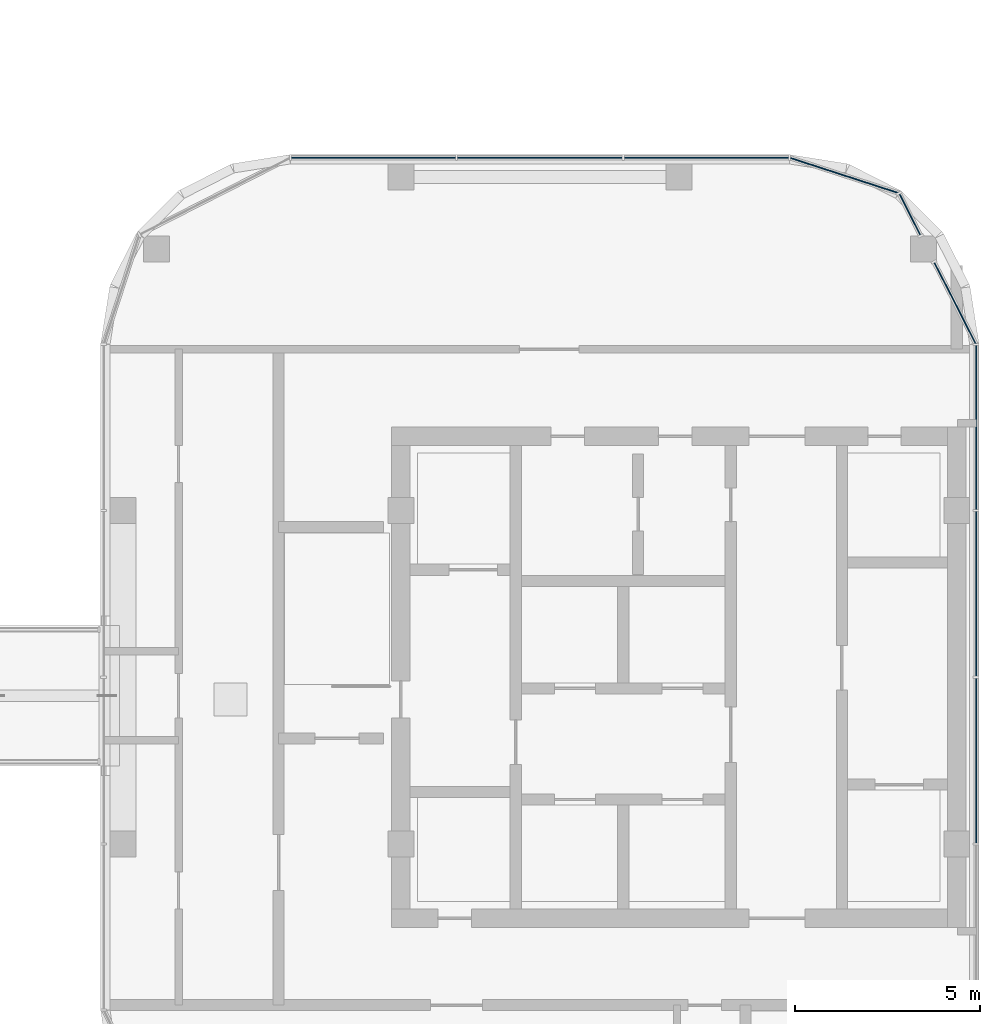
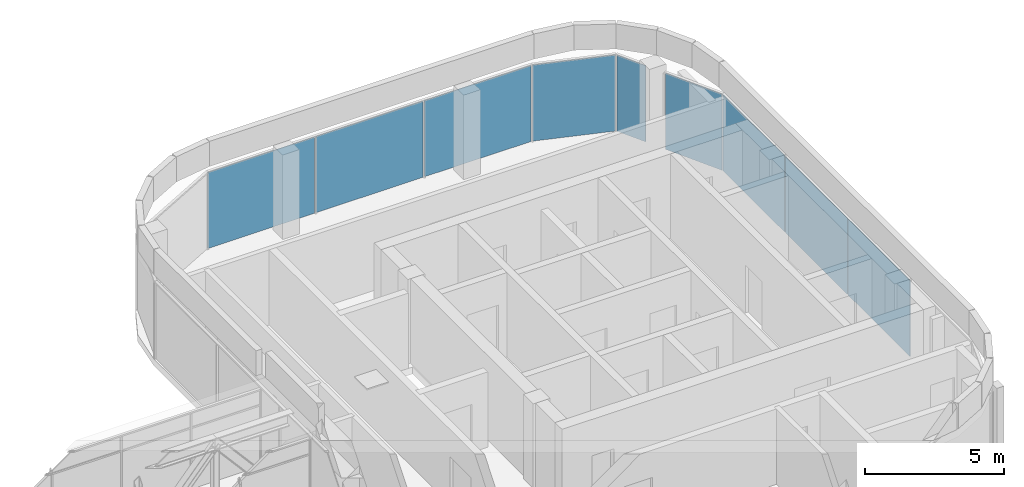
# One storey, part 17 of 33: 9 plates, 4 elements without a shape of their own.
"""IFC4 building model written with IfcOpenShell, lengths in metres."""

from ifc_helpers import new_model, si_unit, direction, frame, origin, origin_2d, place, context, subcontext, project, spatial, rectangle, extrude, material, layer, layer_set, type_object, element, aggregate, save


model = new_model("IFC4")

# Units and contexts
model_context = context("Model", 3, precision=1e-05, world=origin(), true_north=direction((0.0, 1.0)))
body_context = subcontext(model_context, "Body", "Model", "MODEL_VIEW")
ifc_project = project(units=[si_unit("LENGTHUNIT", "METRE"), si_unit("AREAUNIT", "SQUARE_METRE"), si_unit("VOLUMEUNIT", "CUBIC_METRE"), si_unit("PLANEANGLEUNIT", "RADIAN"), si_unit("MASSUNIT", "GRAM", prefix="KILO")], contexts=[model_context])

# Site, building, storey
site_placement = place(None, origin())
site = spatial("IfcSite", under=ifc_project, at=site_placement, CompositionType="ELEMENT")
building_placement = place(site_placement, origin())
building = spatial("IfcBuilding", under=site, at=building_placement, Name="Ogive Portal Towers", CompositionType="ELEMENT")
storey_placement = place(building_placement, frame((0.0, 0.0, 101.89990234375)))
storey = spatial("IfcBuildingStorey", under=building, at=storey_placement, Name="L24", CompositionType="ELEMENT", Elevation=101.89990234375)

# Curtain wall, plates
ifc_material = material(Name="Glass, clear low-iron insulated glazing", Category="glass")
curtain_wall_type = type_object("IfcCurtainWallType", Name="CW RESIDENCES RIBBON", PredefinedType="NOTDEFINED", material=ifc_material)
curtain_wall_1_placement = place(storey_placement, origin())
curtain_wall_1 = element("IfcCurtainWall", 1, at=curtain_wall_1_placement, inside=storey, type_object=curtain_wall_type, Name="B:L24:f05:cw0", PredefinedType="NOTDEFINED")
ifc_layer = layer(ifc_material, 0.028076171875)
ifc_layer_set = layer_set([ifc_layer], Name="CW PANEL IGU 28")
plate_type = type_object("IfcPlateType", Name="CW PANEL IGU 28", PredefinedType="CURTAIN_PANEL", material=ifc_layer_set)
plate_1_placement = place(storey_placement, frame((144.52001953125, 28.75, 0.0), z_axis=(0.0, 0.0, 1.0), x_axis=(0.0, 1.0, 0.0)))
plate_1 = element("IfcPlate", 2, at=plate_1_placement, type_object=plate_type, Name="panel", PredefinedType="CURTAIN_PANEL", context=body_context, shape_type="SweptSolid", body=[
    extrude(rectangle(XDim=4.43994140625, YDim=0.028076171875, at=origin_2d()), origin(), (0.0, 0.0, 1.0), 3.340087890625),
])
plate_2_placement = place(storey_placement, frame((144.52001953125, 33.25, 0.0), z_axis=(0.0, 0.0, 1.0), x_axis=(0.0, 1.0, 0.0)))
plate_2 = element("IfcPlate", 3, at=plate_2_placement, type_object=plate_type, Name="panel", PredefinedType="CURTAIN_PANEL", context=body_context, shape_type="SweptSolid", body=[
    extrude(rectangle(XDim=4.43994140625, YDim=0.028076171875, at=origin_2d()), origin(), (0.0, 0.0, 1.0), 3.340087890625),
])
plate_3_placement = place(storey_placement, frame((144.52001953125, 37.740478515625, 0.0), z_axis=(0.0, 0.0, 1.0), x_axis=(0.0, 1.0, 0.0)))
plate_3 = element("IfcPlate", 4, at=plate_3_placement, type_object=plate_type, Name="panel", PredefinedType="CURTAIN_PANEL", context=body_context, shape_type="SweptSolid", body=[
    extrude(rectangle(XDim=4.4208984375, YDim=0.028076171875, at=origin_2d()), origin(), (0.0, 0.0, 1.0), 3.340087890625),
])
aggregate(curtain_wall_1, [plate_1, plate_2, plate_3])

curtain_wall_2_placement = place(storey_placement, origin())
curtain_wall_2 = element("IfcCurtainWall", 5, at=curtain_wall_2_placement, inside=storey, type_object=curtain_wall_type, Name="B:L24:f08:cw0", PredefinedType="NOTDEFINED")
plate_4_placement = place(storey_placement, frame((137.24365234375, 45.02001953125, 0.0), z_axis=(0.0, 0.0, 1.0), x_axis=(-1.0, 0.0, 0.0)))
plate_4 = element("IfcPlate", 6, at=plate_4_placement, type_object=plate_type, Name="panel", PredefinedType="CURTAIN_PANEL", context=body_context, shape_type="SweptSolid", body=[
    extrude(rectangle(XDim=4.42724609375, YDim=0.028076171875, at=origin_2d()), origin(), (0.0, 0.0, 1.0), 3.340087890625),
])
plate_5_placement = place(storey_placement, frame((132.75, 45.02001953125, 0.0), z_axis=(0.0, 0.0, 1.0), x_axis=(-1.0, 0.0, 0.0)))
plate_5 = element("IfcPlate", 7, at=plate_5_placement, type_object=plate_type, Name="panel", PredefinedType="CURTAIN_PANEL", context=body_context, shape_type="SweptSolid", body=[
    extrude(rectangle(XDim=4.43994140625, YDim=0.028076171875, at=origin_2d()), origin(), (0.0, 0.0, 1.0), 3.340087890625),
])
plate_6_placement = place(storey_placement, frame((128.259521484375, 45.02001953125, 0.0), z_axis=(0.0, 0.0, 1.0), x_axis=(-1.0, 0.0, 0.0)))
plate_6 = element("IfcPlate", 8, at=plate_6_placement, type_object=plate_type, Name="panel", PredefinedType="CURTAIN_PANEL", context=body_context, shape_type="SweptSolid", body=[
    extrude(rectangle(XDim=4.4208984375, YDim=0.028076171875, at=origin_2d()), origin(), (0.0, 0.0, 1.0), 3.340087890625),
])
aggregate(curtain_wall_2, [plate_4, plate_5, plate_6])

# Curtain wall, plate
curtain_wall_3_placement = place(storey_placement, origin())
curtain_wall_3 = element("IfcCurtainWall", 9, at=curtain_wall_3_placement, inside=storey, type_object=curtain_wall_type, Name="B:L24:f06:cwa~0", PredefinedType="NOTDEFINED")
plate_7_placement = place(storey_placement, frame((143.95263671875, 41.094482421875, 0.0), z_axis=(0.0, 0.0, 1.0), x_axis=(-0.45399049974, 0.891006524188, 0.0)))
plate_7 = element("IfcPlate", 10, at=plate_7_placement, type_object=plate_type, Name="panel", PredefinedType="CURTAIN_PANEL", context=body_context, shape_type="SweptSolid", body=[
    extrude(rectangle(XDim=2.439697265625, YDim=0.028076171875, at=origin_2d()), origin(), (0.0, 0.0, 1.0), 3.340087890625),
])
aggregate(curtain_wall_3, [plate_7])

# Curtain wall, plates
curtain_wall_4_placement = place(storey_placement, origin())
curtain_wall_4 = element("IfcCurtainWall", 11, at=curtain_wall_4_placement, inside=storey, type_object=curtain_wall_type, Name="B:L24:f06:cwa~1", PredefinedType="NOTDEFINED")
plate_8_placement = place(storey_placement, frame((142.735107421875, 43.484130859375, 0.0), z_axis=(0.0, 0.0, 1.0), x_axis=(-0.45399049974, 0.891006524188, 0.0)))
plate_8 = element("IfcPlate", 12, at=plate_8_placement, type_object=plate_type, Name="panel", PredefinedType="CURTAIN_PANEL", context=body_context, shape_type="SweptSolid", body=[
    extrude(rectangle(XDim=1.233154296875, YDim=0.028076171875, at=origin_2d()), origin(), (0.0, 0.0, 1.0), 3.340087890625),
])
plate_9_placement = place(storey_placement, frame((140.96435546875, 44.5400390625, 0.0), z_axis=(0.0, 0.0, 1.0), x_axis=(-0.951056516295, 0.309016994375, 0.0)))
plate_9 = element("IfcPlate", 13, at=plate_9_placement, type_object=plate_type, Name="panel", PredefinedType="CURTAIN_PANEL", context=body_context, shape_type="SweptSolid", body=[
    extrude(rectangle(XDim=3.046142578125, YDim=0.028076171875, at=origin_2d()), origin(), (0.0, 0.0, 1.0), 3.340087890625),
])
aggregate(curtain_wall_4, [plate_8, plate_9])

save(model, "model.ifc")
